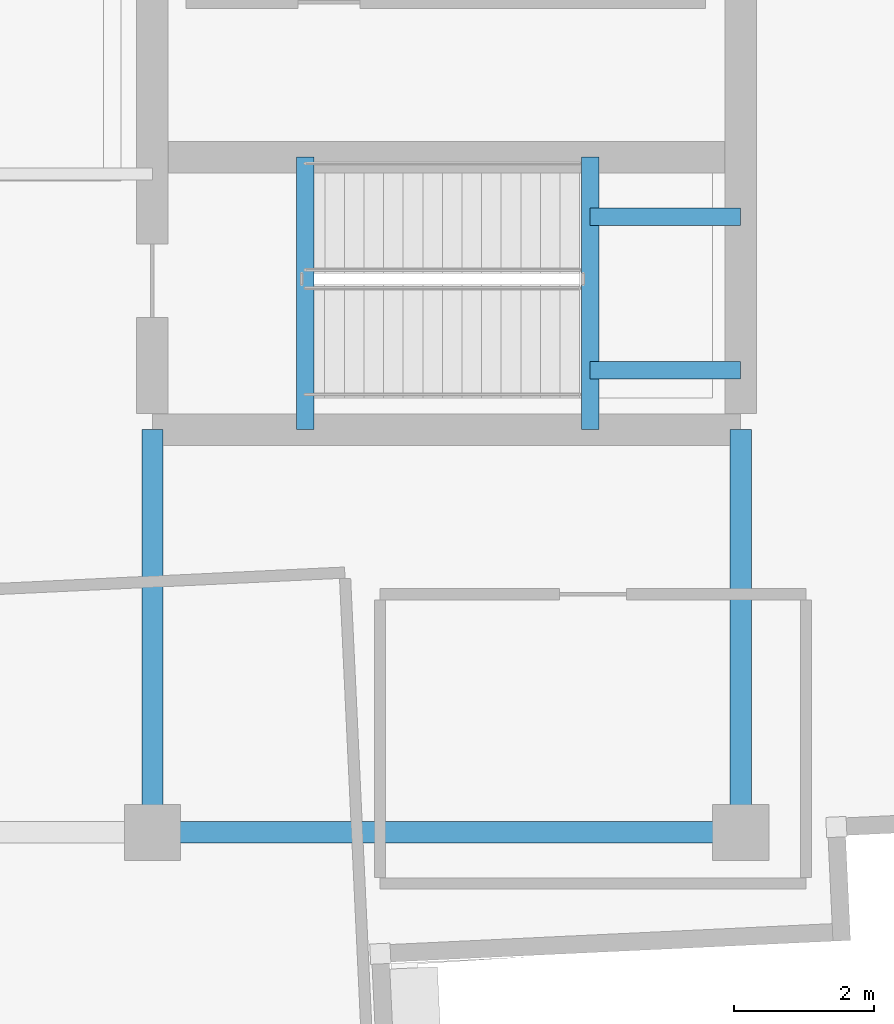
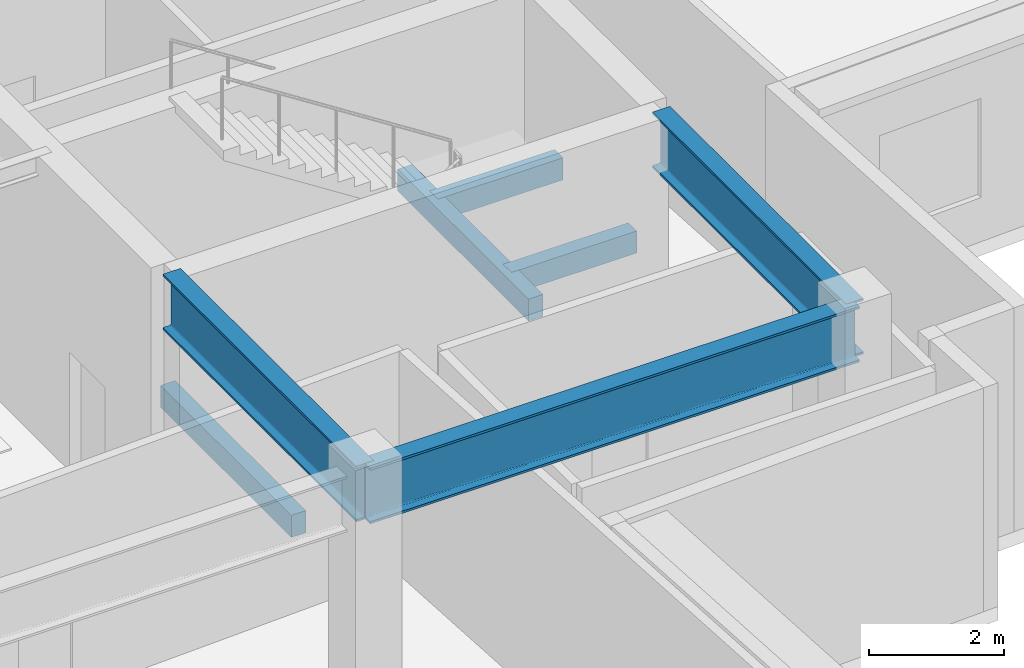
# One storey, part 6 of 22: 7 beams.
"""IFC4 building model written with IfcOpenShell, lengths in metres."""

from ifc_helpers import new_model, si_unit, direction, frame, origin, origin_2d, place, context, subcontext, project, spatial, rectangle, i_section, extrude, material, material_profile, profile_set, type_object, element, save


model = new_model("IFC4")

# Units and contexts
model_context = context("Model", 3, precision=1e-05, world=origin(), true_north=direction((0.0, 1.0)))
body_context = subcontext(model_context, "Body", "Model", "MODEL_VIEW")
ifc_project = project(units=[si_unit("LENGTHUNIT", "METRE"), si_unit("AREAUNIT", "SQUARE_METRE"), si_unit("VOLUMEUNIT", "CUBIC_METRE"), si_unit("PLANEANGLEUNIT", "RADIAN"), si_unit("MASSUNIT", "GRAM", prefix="KILO")], contexts=[model_context])

# Site, building, storey
site_placement = place(None, origin())
site = spatial("IfcSite", under=ifc_project, at=site_placement, CompositionType="ELEMENT")
building_placement = place(site_placement, origin())
building = spatial("IfcBuilding", under=site, at=building_placement, Name="Qingluan Cross Belvedere", CompositionType="ELEMENT")
storey_placement = place(building_placement, frame((0.0, 0.0, 294.0)))
storey = spatial("IfcBuildingStorey", under=building, at=storey_placement, Name="L73", CompositionType="ELEMENT", Elevation=294.0)

# Beams
ifc_material_1 = material(Name="Concrete C45", Category="concrete")
ifc_material_profile_1 = material_profile(ifc_material_1, rectangle(XDim=0.25, YDim=0.39990234375, at=origin_2d()), Name="RC250x400")
ifc_profile_set_1 = profile_set([ifc_material_profile_1], Name="Concrete C45")
beam_type_1 = type_object("IfcBeamType", Name="RC_Lintel_RC250x400", PredefinedType="LINTEL", material=ifc_profile_set_1)
for number, where, z_axis, x_axis, name in (
    (1, (6.179931640625, -6.85009765625, -0.199951171875), (0.0, 1.0, 0.0), (-1.0, 0.0, 0.0), "Stair ST2 landing beam L73"),
    (2, (10.25, -6.85009765625, 2.300048828125), (0.0, 1.0, 0.0), (-1.0, 0.0, 0.0), "Stair ST2 beam A L73"),
):
    element("IfcBeam", number, at=place(storey_placement, frame(where, z_axis=z_axis, x_axis=x_axis)), inside=storey, type_object=beam_type_1, Name=name, PredefinedType="LINTEL", context=body_context, shape_type="SweptSolid", body=[
        extrude(rectangle(XDim=0.25, YDim=0.39990234375, at=origin_2d()), origin(), (0.0, 0.0, 1.0), 3.89013671875),
    ])
for number, where, z_axis, x_axis, name in (
    (3, (12.39990234375, -6.0, 2.300048828125), (-1.0, 0.0, 0.0), (0.0, -1.0, 0.0), "Stair ST2 beam B L73"),
    (4, (12.39990234375, -3.81005859375, 2.300048828125), (-1.0, 0.0, 0.0), (0.0, -1.0, 0.0), "Stair ST2 beam C L73"),
):
    element("IfcBeam", number, at=place(storey_placement, frame(where, z_axis=z_axis, x_axis=x_axis)), inside=storey, type_object=beam_type_1, Name=name, PredefinedType="LINTEL", context=body_context, shape_type="SweptSolid", body=[
        extrude(rectangle(XDim=0.25, YDim=0.39990234375, at=origin_2d()), origin(), (0.0, 0.0, 1.0), 2.14990234375),
    ])
ifc_material_2 = material(Name="Steel Q420GJB", Category="steel")
ifc_material_profile_2 = material_profile(ifc_material_2, i_section(OverallWidth=0.302001953125, OverallDepth=1.008056640625, WebThickness=0.02099609375, FlangeThickness=0.0400390625, FilletRadius=0.030029296875, at=origin_2d()), Name="HEM1000")
ifc_profile_set_2 = profile_set([ifc_material_profile_2], Name="Steel Q420GJB")
beam_type_2 = type_object("IfcBeamType", Name="Steel_Girder_HEM1000", PredefinedType="USERDEFINED", material=ifc_profile_set_2)
beam_placement = place(storey_placement, frame((4.0, -12.60009765625, 4.64599609375), z_axis=(1.0, 0.0, 0.0), x_axis=(0.0, 1.0, 0.0)))
element("IfcBeam", 5, at=beam_placement, inside=storey, type_object=beam_type_2, Name="Hub girder L73-HG-S3", ObjectType="GIRDER", PredefinedType="USERDEFINED", context=body_context, shape_type="SweptSolid", body=[
    extrude(i_section(OverallWidth=0.302001953125, OverallDepth=1.008056640625, WebThickness=0.02099609375, FlangeThickness=0.0400390625, FilletRadius=0.030029296875, at=origin_2d()), origin(), (0.0, 0.0, 1.0), 8.39990234375),
])
for number, where, z_axis, x_axis, name in (
    (6, (12.39990234375, -12.60009765625, 4.64599609375), (0.0, 1.0, 0.0), (-1.0, 0.0, 0.0), "Hub girder L73-HG-E1"),
    (7, (4.0, -12.60009765625, 4.64599609375), (0.0, 1.0, 0.0), (-1.0, 0.0, 0.0), "Hub girder L73-HG-CE"),
):
    element("IfcBeam", number, at=place(storey_placement, frame(where, z_axis=z_axis, x_axis=x_axis)), inside=storey, type_object=beam_type_2, Name=name, ObjectType="GIRDER", PredefinedType="USERDEFINED", context=body_context, shape_type="SweptSolid", body=[
        extrude(i_section(OverallWidth=0.302001953125, OverallDepth=1.008056640625, WebThickness=0.02099609375, FlangeThickness=0.0400390625, FilletRadius=0.030029296875, at=origin_2d()), origin(), (0.0, 0.0, 1.0), 5.75),
    ])

save(model, "model.ifc")
